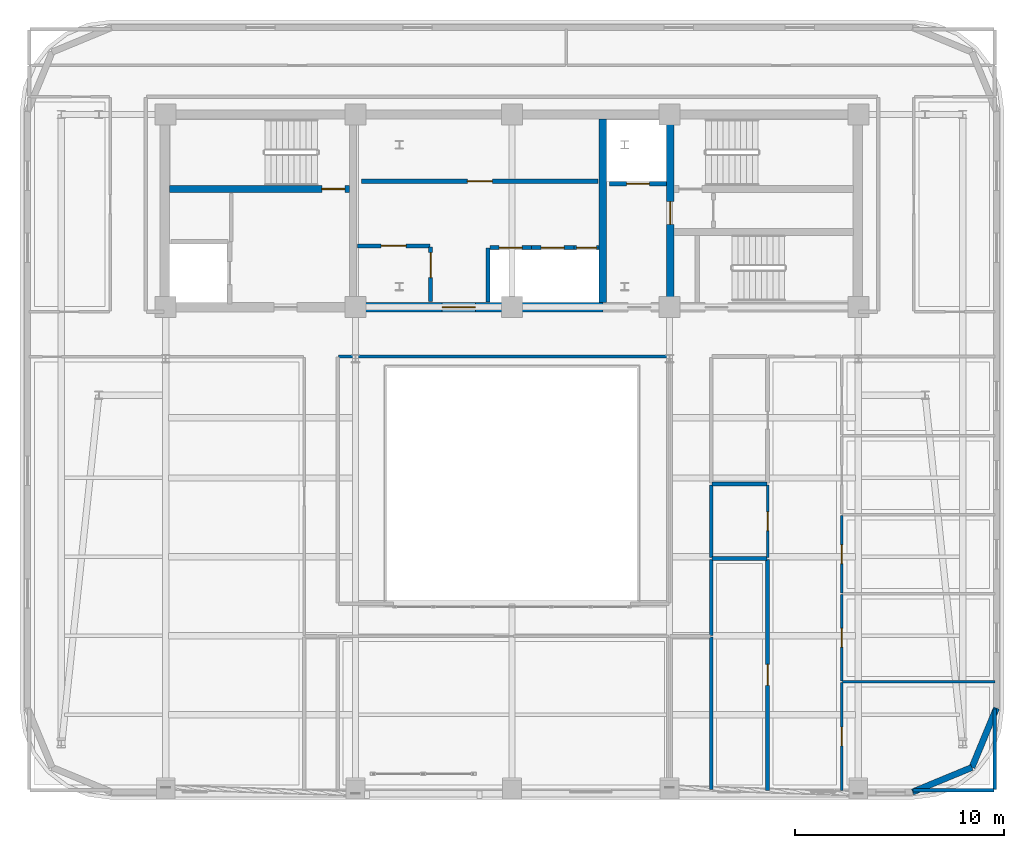
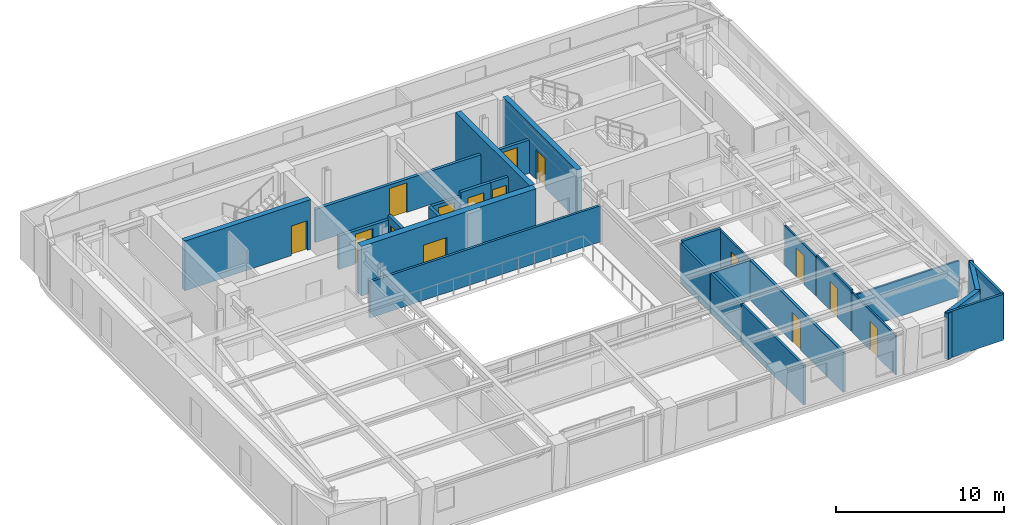
# One storey, part 7 of 13: 28 walls, 15 doors, 15 openings.
"""IFC4 building model written with IfcOpenShell, lengths in metres."""

import ifcopenshell
import ifcopenshell.guid

model = None  # the IFC model being written
_history = None  # IfcOwnerHistory: only IFC2X3 demands one
_inside = {}  # id of a spatial element -> (the spatial element, [elements in it])
_under = {}  # id of a project, library or spatial element -> (it, [spatial elements below it])
_declared = {}  # id of a project -> (the project, [libraries it declares])
_typed = {}  # id of a type object -> (the type object, [elements of that type])
_made_of = {}  # id of a material, layer set ... -> (it, [elements and type objects made of it])


def new_model(schema):
    """Start an empty IFC model of exactly this schema.

    Asked for "IFC4X3", IfcOpenShell would pick the latest addendum, in which some entities
    have other attributes; the version numbers below select the first issue.
    IFC2X3 requires an IfcOwnerHistory on every rooted entity: one is made here for all.
    """
    global model, _history
    if schema == "IFC4X3":
        model = ifcopenshell.file(schema_version=(4, 3, 0, 0))
    else:
        model = ifcopenshell.file(schema=schema)
    _inside.clear()
    _under.clear()
    _declared.clear()
    _typed.clear()
    _made_of.clear()
    _history = None
    if model.schema == "IFC2X3":
        org = make("IfcOrganization", Name="unknown")
        user = make(
            "IfcPersonAndOrganization",
            ThePerson=make("IfcPerson", FamilyName="unknown"),
            TheOrganization=org,
        )
        app = make(
            "IfcApplication",
            ApplicationDeveloper=org,
            Version="unknown",
            ApplicationFullName="unknown",
            ApplicationIdentifier="unknown",
        )
        _history = make(
            "IfcOwnerHistory",
            OwningUser=user,
            OwningApplication=app,
            ChangeAction="ADDED",
            CreationDate=0,
        )
    return model


def make(cls, **values):
    """One entity of the class cls with the attributes given. An attribute that is None is left unset."""
    return model.create_entity(
        cls, **{name: value for name, value in values.items() if value is not None}
    )


def rooted(cls, **values):
    """An entity with a GlobalId (a new one), such as an element, a storey or a relation."""
    return make(cls, GlobalId=ifcopenshell.guid.new(), OwnerHistory=_history, **values)


def si_unit(unit_type, name, prefix=None):
    """IfcSIUnit, for example si_unit("LENGTHUNIT", "METRE", prefix="MILLI")."""
    return make("IfcSIUnit", UnitType=unit_type, Prefix=prefix, Name=name)


def assignment(units):
    """IfcUnitAssignment: the units of a project."""
    return None if units is None else make("IfcUnitAssignment", Units=units)


def point(xyz):
    """IfcCartesianPoint."""
    return None if xyz is None else make("IfcCartesianPoint", Coordinates=xyz)


def direction(xyz):
    """IfcDirection."""
    return None if xyz is None else make("IfcDirection", DirectionRatios=xyz)


def frame(location, z_axis=None, x_axis=None):
    """IfcAxis2Placement3D, a coordinate frame: its origin and axes. An axis left out is left unset."""
    return make(
        "IfcAxis2Placement3D",
        Location=point(location),
        Axis=direction(z_axis),
        RefDirection=direction(x_axis),
    )


def frame_2d(location, x_axis=None):
    """IfcAxis2Placement2D, a coordinate frame in the plane: its origin and x axis."""
    return make(
        "IfcAxis2Placement2D", Location=point(location), RefDirection=direction(x_axis)
    )


def origin():
    """The frame at (0, 0, 0) with its axes left unset."""
    return frame((0.0, 0.0, 0.0))


def place(relative_to, where):
    """IfcLocalPlacement: puts the frame where relative to a parent placement (None: the world)."""
    return make(
        "IfcLocalPlacement", PlacementRelTo=relative_to, RelativePlacement=where
    )


def context(
    kind, dimensions, precision=None, world=None, true_north=None, identifier=None
):
    """IfcGeometricRepresentationContext, for example the 3D "Model" context."""
    return make(
        "IfcGeometricRepresentationContext",
        ContextIdentifier=identifier,
        ContextType=kind,
        CoordinateSpaceDimension=dimensions,
        Precision=precision,
        WorldCoordinateSystem=world,
        TrueNorth=true_north,
    )


def subcontext(parent, identifier, kind, view, scale=None):
    """IfcGeometricRepresentationSubContext, for example "Body" below "Model"."""
    return make(
        "IfcGeometricRepresentationSubContext",
        ContextIdentifier=identifier,
        ContextType=kind,
        ParentContext=parent,
        TargetScale=scale,
        TargetView=view,
    )


def project(units=None, contexts=None):
    """IfcProject with its units and contexts."""
    return rooted(
        "IfcProject",
        Name="project",
        RepresentationContexts=contexts,
        UnitsInContext=assignment(units),
    )


def spatial(cls, under=None, at=None, **own):
    """A site, building, storey or space (cls), placed at a placement, below another one or the project."""
    s = rooted(cls, ObjectPlacement=at, **own)
    if under is not None:
        _under.setdefault(under.id(), (under, []))[1].append(s)
    return s


def profile(cls, at=None, kind="AREA", **sizes):
    """A parametric profile (cls). Its sizes go by their IFC names, for example OverallWidth=200.0."""
    return make(cls, ProfileType=kind, Position=at, **sizes)


def rectangle(**sizes):
    """IfcRectangleProfileDef."""
    return profile("IfcRectangleProfileDef", **sizes)


def extrude(swept, where, along, depth):
    """IfcExtrudedAreaSolid: the profile swept, set in the frame where, extruded along a direction by depth."""
    return make(
        "IfcExtrudedAreaSolid",
        SweptArea=swept,
        Position=where,
        ExtrudedDirection=direction(along),
        Depth=depth,
    )


def shape(context_of_items, identifier, shape_type, items):
    """IfcShapeRepresentation: the items that make up one representation, for example the "Body"."""
    return make(
        "IfcShapeRepresentation",
        ContextOfItems=context_of_items,
        RepresentationIdentifier=identifier,
        RepresentationType=shape_type,
        Items=items,
    )


def material(Name=None, Category=None):
    """IfcMaterial."""
    return make("IfcMaterial", Name=Name, Category=Category)


def layer(
    of_material, thickness, ventilated=None, Name=None, Category=None, Priority=None
):
    """IfcMaterialLayer: one layer of a wall or slab, of a material (None: an air gap)."""
    return make(
        "IfcMaterialLayer",
        Material=of_material,
        LayerThickness=thickness,
        IsVentilated=ventilated,
        Name=Name,
        Category=Category,
        Priority=Priority,
    )


def layer_set(layers, Name=None):
    """IfcMaterialLayerSet."""
    return make("IfcMaterialLayerSet", MaterialLayers=layers, LayerSetName=Name)


def made_of(thing, what):
    """Note that an element or type object is made of a material, layer set ...; save() writes the relation."""
    if what is not None:
        _made_of.setdefault(what.id(), (what, []))[1].append(thing)
    return thing


def type_object(cls, material=None, **own):
    """A type object (cls), such as IfcWallType, which elements share."""
    return made_of(rooted(cls, **own), material)


def element(
    cls,
    number,
    at=None,
    inside=None,
    cuts=None,
    type_object=None,
    material=None,
    context=None,
    identifier="Body",
    shape_type=None,
    held_by="IfcProductDefinitionShape",
    body=None,
    shapes=None,
    **own,
):
    """One element of the class cls, such as IfcWall. Its Tag is "e" and its number.

    at: its placement. inside: the storey or other place that contains it. cuts: it is an
    opening in that element (IfcRelVoidsElement). A single representation is given by context,
    identifier, shape_type and body (its items); several are given by shapes. held_by: the class
    of the entity that holds the representations. save() writes the other relations.
    """
    e = rooted(cls, Tag="e%d" % number, ObjectPlacement=at, **own)
    if body is not None:
        shapes = [shape(context, identifier, shape_type, body)]
    if shapes is not None:
        e.Representation = make(held_by, Representations=shapes)
    if inside is not None:
        _inside.setdefault(inside.id(), (inside, []))[1].append(e)
    if cuts is not None:
        rooted(
            "IfcRelVoidsElement", RelatingBuildingElement=cuts, RelatedOpeningElement=e
        )
    if type_object is not None:
        _typed.setdefault(type_object.id(), (type_object, []))[1].append(e)
    return made_of(e, material)


def fill(opening, filler):
    """IfcRelFillsElement: the door or window that sits in an opening."""
    return rooted(
        "IfcRelFillsElement",
        RelatingOpeningElement=opening,
        RelatedBuildingElement=filler,
    )


def aggregate(whole, parts):
    """IfcRelAggregates: a whole, such as a stair, and the parts it consists of."""
    return rooted("IfcRelAggregates", RelatingObject=whole, RelatedObjects=parts)


def save(model, path):
    """Write the relations noted so far, then the file.

    IfcRelAggregates (storeys below a building ...), IfcRelContainedInSpatialStructure (elements
    in a storey), IfcRelDefinesByType, IfcRelAssociatesMaterial and IfcRelDeclares: one each for
    every whole, place, type object, material and project.
    """
    for whole, parts in _under.values():
        aggregate(whole, parts)
    for where, things in _inside.values():
        rooted(
            "IfcRelContainedInSpatialStructure",
            RelatedElements=things,
            RelatingStructure=where,
        )
    for kind, things in _typed.values():
        rooted("IfcRelDefinesByType", RelatedObjects=things, RelatingType=kind)
    for what, things in _made_of.values():
        rooted("IfcRelAssociatesMaterial", RelatedObjects=things, RelatingMaterial=what)
    for by, libraries in _declared.values():
        rooted("IfcRelDeclares", RelatingContext=by, RelatedDefinitions=libraries)
    model.write(path)


model = new_model("IFC4")

# Units and contexts
model_context = context("Model", 3, precision=1e-05, world=origin(), true_north=direction((0.0, 1.0)))
body_context = subcontext(model_context, "Body", "Model", "MODEL_VIEW")
ifc_project = project(units=[si_unit("LENGTHUNIT", "METRE"), si_unit("AREAUNIT", "SQUARE_METRE"), si_unit("VOLUMEUNIT", "CUBIC_METRE"), si_unit("PLANEANGLEUNIT", "RADIAN"), si_unit("MASSUNIT", "GRAM", prefix="KILO")], contexts=[model_context])

# Site, building, storey
site_placement = place(None, origin())
site = spatial("IfcSite", under=ifc_project, at=site_placement, CompositionType="ELEMENT")
building_placement = place(site_placement, origin())
building = spatial("IfcBuilding", under=site, at=building_placement, Name="Zarnavel Station Tower", CompositionType="ELEMENT")
storey_placement = place(building_placement, frame((0.0, 0.0, 236.39990234375)))
storey = spatial("IfcBuildingStorey", under=building, at=storey_placement, Name="L64", CompositionType="ELEMENT", Elevation=236.39990234375)

# Wall
ifc_material_1 = material(Name="Concrete C50/60", Category="concrete")
ifc_layer_1 = layer(ifc_material_1, 0.35009765625)
ifc_layer_set_1 = layer_set([ifc_layer_1], Name="CW_350")
wall_type_1 = type_object("IfcWallType", Name="CW_350", PredefinedType="SHEAR", material=ifc_layer_set_1)
wall_1_placement = place(storey_placement, frame((33.14990234375, 28.044921875, 0.0), z_axis=(0.0, 0.0, 1.0), x_axis=(0.0, 1.0, 0.0)))
element("IfcWall", 1, at=wall_1_placement, inside=storey, type_object=wall_type_1, Name="L64 Rear Core Shear Wall DIV-E", PredefinedType="SHEAR", context=body_context, shape_type="SweptSolid", body=[
    extrude(rectangle(XDim=8.780029296875, YDim=0.35009765625, at=frame_2d((4.39013671875, 0.0))), origin(), (0.0, 0.0, 1.0), 3.60009765625),
])

# Wall, opening, door
wall_2_placement = place(storey_placement, frame((36.3798828125, 28.044921875, 0.0), z_axis=(0.0, 0.0, 1.0), x_axis=(0.0, 1.0, 0.0)))
wall_2 = element("IfcWall", 2, at=wall_2_placement, inside=storey, type_object=wall_type_1, Name="L64 Rear Core Shear Wall DIV-S2", PredefinedType="SHEAR", context=body_context, shape_type="SweptSolid", body=[
    extrude(rectangle(XDim=8.780029296875, YDim=0.35009765625, at=frame_2d((4.39013671875, 0.0))), origin(), (0.0, 0.0, 1.0), 3.60009765625),
])
opening_1_placement = place(wall_2_placement, frame((3.735107421875, 0.0, 0.0)))
opening_1 = element("IfcOpeningElement", 3, at=opening_1_placement, cuts=wall_2, Name="Opening FD01", PredefinedType="OPENING", context=body_context, shape_type="SweptSolid", body=[
    extrude(rectangle(XDim=1.10009765625, YDim=2.14990234375, at=frame_2d((0.550048828125, 1.074951171875))), frame((0.0, 0.18505859375, 0.0), z_axis=(0.0, -1.0, 0.0), x_axis=(1.0, 0.0, 0.0)), (0.0, 0.0, 1.0), 0.3701171875),
])
ifc_material_2 = material(Name="Painted Galvanised Steel and Hardwood Leaf", Category="steel")
door_type_1 = type_object("IfcDoorType", Name="ID_STAIR_1100", OperationType="NOTDEFINED", PredefinedType="DOOR", material=ifc_material_2)
door_1_placement = place(opening_1_placement, origin())
door_1 = element("IfcDoor", 4, at=door_1_placement, inside=storey, type_object=door_type_1, Name="L64 East Stair Vestibule Fire Door", OperationType="SINGLE_SWING_LEFT", OverallHeight=2.14990234375, OverallWidth=1.10009765625, PredefinedType="DOOR", context=body_context, shape_type="SweptSolid", body=[
    extrude(rectangle(XDim=1.10009765625, YDim=2.14990234375, at=frame_2d((0.550048828125, 1.074951171875))), frame((0.0, 0.02490234375, 0.0), z_axis=(0.0, -1.0, 0.0), x_axis=(1.0, 0.0, 0.0)), (0.0, 0.0, 1.0), 0.050048828125),
])
fill(opening_1, door_1)

wall_3_placement = place(storey_placement, frame((21.0048828125, 33.47998046875, 0.0), z_axis=(0.0, 0.0, 1.0), x_axis=(-1.0, 0.0, 0.0)))
wall_3 = element("IfcWall", 5, at=wall_3_placement, inside=storey, type_object=wall_type_1, Name="L64 Rear Core Shear Wall DIV-H1", PredefinedType="SHEAR", context=body_context, shape_type="SweptSolid", body=[
    extrude(rectangle(XDim=8.6298828125, YDim=0.35009765625, at=frame_2d((4.31494140625, 0.0))), origin(), (0.0, 0.0, 1.0), 3.60009765625),
])
opening_2_placement = place(wall_3_placement, frame((0.219970703125, 0.0, 0.0)))
opening_2 = element("IfcOpeningElement", 6, at=opening_2_placement, cuts=wall_3, Name="Opening FD01", PredefinedType="OPENING", context=body_context, shape_type="SweptSolid", body=[
    extrude(rectangle(XDim=1.10009765625, YDim=2.14990234375, at=frame_2d((0.550048828125, 1.074951171875))), frame((0.0, 0.18505859375, 0.0), z_axis=(0.0, -1.0, 0.0), x_axis=(1.0, 0.0, 0.0)), (0.0, 0.0, 1.0), 0.3701171875),
])
door_2_placement = place(opening_2_placement, origin())
door_2 = element("IfcDoor", 7, at=door_2_placement, inside=storey, type_object=door_type_1, Name="L64 Stair ST1 Lobby Fire Door", OperationType="SINGLE_SWING_LEFT", OverallHeight=2.14990234375, OverallWidth=1.10009765625, PredefinedType="DOOR", context=body_context, shape_type="SweptSolid", body=[
    extrude(rectangle(XDim=1.10009765625, YDim=2.14990234375, at=frame_2d((0.550048828125, 1.074951171875))), frame((0.0, 0.02490234375, 0.0), z_axis=(0.0, -1.0, 0.0), x_axis=(1.0, 0.0, 0.0)), (0.0, 0.0, 1.0), 0.050048828125),
])
fill(opening_2, door_2)

ifc_material_3 = material(Name="Concrete C50/60", Category="concrete")
ifc_layer_2 = layer(ifc_material_3, 0.449951171875)
ifc_layer_set_2 = layer_set([ifc_layer_2], Name="CW_450")
wall_type_2 = type_object("IfcWallType", Name="CW_450", PredefinedType="SHEAR", material=ifc_layer_set_2)
wall_4_placement = place(storey_placement, frame((33.14990234375, 27.820068359375, 0.0), z_axis=(0.0, 0.0, 1.0), x_axis=(-1.0, 0.0, 0.0)))
wall_4 = element("IfcWall", 8, at=wall_4_placement, inside=storey, type_object=wall_type_2, Name="L64 Rear Core Shear Wall S-M", PredefinedType="SHEAR", context=body_context, shape_type="SweptSolid", body=[
    extrude(rectangle(XDim=11.969970703125, YDim=0.449951171875, at=frame_2d((5.98486328125, 0.0))), origin(), (0.0, 0.0, 1.0), 3.60009765625),
])
opening_3_placement = place(wall_4_placement, frame((6.10009765625, 0.0, 0.0)))
opening_3 = element("IfcOpeningElement", 9, at=opening_3_placement, cuts=wall_4, Name="Opening ID03", PredefinedType="OPENING", context=body_context, shape_type="SweptSolid", body=[
    extrude(rectangle(XDim=1.60009765625, YDim=2.199951171875, at=frame_2d((0.800048828125, 1.10009765625))), frame((0.0, 0.23486328125, 0.0), z_axis=(0.0, -1.0, 0.0), x_axis=(1.0, 0.0, 0.0)), (0.0, 0.0, 1.0), 0.469970703125),
])
ifc_material_4 = material(Name="Painted Galvanised Steel and Hardwood Leaf", Category="steel")
door_type_2 = type_object("IfcDoorType", Name="ID_PUBLIC_1600", OperationType="DOUBLE_DOOR_SINGLE_SWING", PredefinedType="DOOR", material=ifc_material_4)
door_3_placement = place(opening_3_placement, origin())
door_3 = element("IfcDoor", 10, at=door_3_placement, inside=storey, type_object=door_type_2, Name="L64 Passenger Lift Lobby Double Door", OperationType="SINGLE_SWING_LEFT", OverallHeight=2.199951171875, OverallWidth=1.60009765625, PredefinedType="DOOR", context=body_context, shape_type="SweptSolid", body=[
    extrude(rectangle(XDim=1.60009765625, YDim=2.199951171875, at=frame_2d((0.800048828125, 1.10009765625))), frame((0.0, 0.02490234375, 0.0), z_axis=(0.0, -1.0, 0.0), x_axis=(1.0, 0.0, 0.0)), (0.0, 0.0, 1.0), 0.050048828125),
])
fill(opening_3, door_3)

# Walls
ifc_material_5 = material(Name="Precast concrete C45/55 (Dark Basalt Finish)", Category="masonry")
ifc_layer_3 = layer(ifc_material_5, 0.300048828125)
ifc_layer_set_3 = layer_set([ifc_layer_3], Name="EW_BASALT_300")
wall_type_3 = type_object("IfcWallType", Name="EW_BASALT_300", PredefinedType="SOLIDWALL", material=ifc_layer_set_3)
wall_5_placement = place(storey_placement, frame((50.842529296875, 5.75732421875, 0.0), z_axis=(0.0, 0.0, 1.0), x_axis=(-0.92389884758, -0.382636798336, 0.0)))
element("IfcWall", 11, at=wall_5_placement, inside=storey, type_object=wall_type_3, Name="L64 Exterior Basalt Masonry Frame Wall 01", PredefinedType="SOLIDWALL", context=body_context, shape_type="SweptSolid", body=[
    extrude(rectangle(XDim=3.07666015625, YDim=0.300048828125, at=frame_2d((1.538330078125, 0.0))), origin(), (0.0, 0.0, 1.0), 3.340087890625),
])
wall_6_placement = place(storey_placement, frame((52.02001953125, 8.60009765625, 0.0), z_axis=(0.0, 0.0, 1.0), x_axis=(-0.382676475685, -0.923882414032, 0.0)))
element("IfcWall", 12, at=wall_6_placement, inside=storey, type_object=wall_type_3, Name="L64 Exterior Basalt Masonry Frame Wall 02", PredefinedType="SOLIDWALL", context=body_context, shape_type="SweptSolid", body=[
    extrude(rectangle(XDim=3.076904296875, YDim=0.300048828125, at=frame_2d((1.53857421875, 0.0))), origin(), (0.0, 0.0, 1.0), 3.340087890625),
])
ifc_material_6 = material(Name="Gypsum Twin-Stud Acoustic Fire Partition", Category="concrete")
ifc_layer_4 = layer(ifc_material_6, 0.159912109375)
ifc_layer_set_4 = layer_set([ifc_layer_4], Name="PT_DEMISE_160")
wall_type_4 = type_object("IfcWallType", Name="PT_DEMISE_160", PredefinedType="PARTITIONING", material=ifc_layer_set_4)
wall_7_placement = place(storey_placement, frame((38.35009765625, 15.81103515625, 0.0), z_axis=(0.0, 0.0, 1.0), x_axis=(0.0, 1.0, 0.0)))
element("IfcWall", 13, at=wall_7_placement, inside=storey, type_object=wall_type_4, Name="L64 Partition COR-AE-UE1UT", PredefinedType="PARTITIONING", context=body_context, shape_type="SweptSolid", body=[
    extrude(rectangle(XDim=3.488037109375, YDim=0.159912109375, at=frame_2d((1.744140625, 0.0))), origin(), (0.0, 0.0, 1.0), 2.880126953125),
])
wall_8_placement = place(storey_placement, frame((20.47998046875, 25.449951171875, 0.0), z_axis=(0.0, 0.0, 1.0), x_axis=(1.0, 0.0, 0.0)))
element("IfcWall", 14, at=wall_8_placement, inside=storey, type_object=wall_type_4, Name="L64 Enclosure Wall COR-S", PredefinedType="PARTITIONING", context=body_context, shape_type="SweptSolid", body=[
    extrude(rectangle(XDim=15.840087890625, YDim=0.159912109375, at=frame_2d((7.919921875, 0.0))), origin(), (0.0, 0.0, 1.0), 2.6201171875),
])
wall_9_placement = place(storey_placement, frame((38.35009765625, 4.68994140625, 0.0), z_axis=(0.0, 0.0, 1.0), x_axis=(0.0, 1.0, 0.0)))
element("IfcWall", 15, at=wall_9_placement, inside=storey, type_object=wall_type_4, Name="L64 Enclosure Wall UE1KT", PredefinedType="PARTITIONING", context=body_context, shape_type="SweptSolid", body=[
    extrude(rectangle(XDim=7.330078125, YDim=0.159912109375, at=frame_2d((3.6650390625, 0.0))), origin(), (0.0, 0.0, 1.0), 2.880126953125),
])
wall_10_placement = place(storey_placement, frame((48.030029296875, 4.659912109375, 0.0), z_axis=(0.0, 0.0, 1.0), x_axis=(1.0, 0.0, 0.0)))
element("IfcWall", 16, at=wall_10_placement, inside=storey, type_object=wall_type_4, Name="L64 Enclosure Wall UE1B1", PredefinedType="PARTITIONING", context=body_context, shape_type="SweptSolid", body=[
    extrude(rectangle(XDim=3.8798828125, YDim=0.159912109375, at=frame_2d((1.93994140625, 0.0))), origin(), (0.0, 0.0, 1.0), 3.340087890625),
])
wall_11_placement = place(storey_placement, frame((51.93994140625, 4.68994140625, 0.0), z_axis=(0.0, 0.0, 1.0), x_axis=(0.0, 1.0, 0.0)))
element("IfcWall", 17, at=wall_11_placement, inside=storey, type_object=wall_type_4, Name="L64 Enclosure Wall UE1B1", PredefinedType="PARTITIONING", context=body_context, shape_type="SweptSolid", body=[
    extrude(rectangle(XDim=3.880126953125, YDim=0.159912109375, at=frame_2d((1.93994140625, 0.0))), origin(), (0.0, 0.0, 1.0), 3.340087890625),
])

# Wall, opening, door
ifc_material_7 = material(Name="Gypsum Metal-Stud Interior Partition", Category="concrete")
ifc_layer_5 = layer(ifc_material_7, 0.1201171875)
ifc_layer_set_5 = layer_set([ifc_layer_5], Name="PT_ROOM_120")
wall_type_5 = type_object("IfcWallType", Name="PT_ROOM_120", PredefinedType="PARTITIONING", material=ifc_layer_set_5)
wall_12_placement = place(storey_placement, frame((41.050048828125, 15.81103515625, 0.0), z_axis=(0.0, 0.0, 1.0), x_axis=(0.0, 1.0, 0.0)))
wall_12 = element("IfcWall", 18, at=wall_12_placement, inside=storey, type_object=wall_type_5, Name="L64 Partition UE1LV-UE1UT", PredefinedType="PARTITIONING", context=body_context, shape_type="SweptSolid", body=[
    extrude(rectangle(XDim=3.488037109375, YDim=0.1201171875, at=frame_2d((1.744140625, 0.0))), origin(), (0.0, 0.0, 1.0), 2.880126953125),
])
opening_4_placement = place(wall_12_placement, frame((1.2939453125, 0.0, 0.0)))
opening_4 = element("IfcOpeningElement", 19, at=opening_4_placement, cuts=wall_12, Name="Opening ID01", PredefinedType="OPENING", context=body_context, shape_type="SweptSolid", body=[
    extrude(rectangle(XDim=0.89990234375, YDim=2.10009765625, at=frame_2d((0.449951171875, 1.050048828125))), frame((0.0, 0.070068359375, 0.0), z_axis=(0.0, -1.0, 0.0), x_axis=(1.0, 0.0, 0.0)), (0.0, 0.0, 1.0), 0.14013671875),
])
ifc_material_8 = material(Name="Painted Galvanised Steel and Hardwood Leaf", Category="steel")
door_type_3 = type_object("IfcDoorType", Name="ID_ROOM_900", OperationType="NOTDEFINED", PredefinedType="DOOR", material=ifc_material_8)
door_4_placement = place(opening_4_placement, origin())
door_4 = element("IfcDoor", 20, at=door_4_placement, inside=storey, type_object=door_type_3, Name="L64 Door UE1LV-UE1UT", OperationType="SINGLE_SWING_LEFT", OverallHeight=2.10009765625, OverallWidth=0.89990234375, PredefinedType="DOOR", context=body_context, shape_type="SweptSolid", body=[
    extrude(rectangle(XDim=0.89990234375, YDim=2.10009765625, at=frame_2d((0.449951171875, 1.050048828125))), frame((0.0, 0.02490234375, 0.0), z_axis=(0.0, -1.0, 0.0), x_axis=(1.0, 0.0, 0.0)), (0.0, 0.0, 1.0), 0.050048828125),
])
fill(opening_4, door_4)

wall_13_placement = place(storey_placement, frame((44.60888671875, 4.659912109375, 0.0), z_axis=(0.0, 0.0, 1.0), x_axis=(0.0, 1.0, 0.0)))
wall_13 = element("IfcWall", 21, at=wall_13_placement, inside=storey, type_object=wall_type_5, Name="L64 Partition UE1LV-UE1B1", PredefinedType="PARTITIONING", context=body_context, shape_type="SweptSolid", body=[
    extrude(rectangle(XDim=5.156982421875, YDim=0.1201171875, at=frame_2d((2.57861328125, 0.0))), origin(), (0.0, 0.0, 1.0), 2.880126953125),
])
opening_5_placement = place(wall_13_placement, frame((2.12841796875, 0.0, 0.0)))
opening_5 = element("IfcOpeningElement", 22, at=opening_5_placement, cuts=wall_13, Name="Opening ID01", PredefinedType="OPENING", context=body_context, shape_type="SweptSolid", body=[
    extrude(rectangle(XDim=0.89990234375, YDim=2.10009765625, at=frame_2d((0.449951171875, 1.050048828125))), frame((0.0, 0.070068359375, 0.0), z_axis=(0.0, -1.0, 0.0), x_axis=(1.0, 0.0, 0.0)), (0.0, 0.0, 1.0), 0.14013671875),
])
door_5_placement = place(opening_5_placement, origin())
door_5 = element("IfcDoor", 23, at=door_5_placement, inside=storey, type_object=door_type_3, Name="L64 Door UE1LV-UE1B1", OperationType="SINGLE_SWING_LEFT", OverallHeight=2.10009765625, OverallWidth=0.89990234375, PredefinedType="DOOR", context=body_context, shape_type="SweptSolid", body=[
    extrude(rectangle(XDim=0.89990234375, YDim=2.10009765625, at=frame_2d((0.449951171875, 1.050048828125))), frame((0.0, 0.02490234375, 0.0), z_axis=(0.0, -1.0, 0.0), x_axis=(1.0, 0.0, 0.0)), (0.0, 0.0, 1.0), 0.050048828125),
])
fill(opening_5, door_5)

wall_14_placement = place(storey_placement, frame((44.60888671875, 9.89697265625, 0.0), z_axis=(0.0, 0.0, 1.0), x_axis=(0.0, 1.0, 0.0)))
wall_14 = element("IfcWall", 24, at=wall_14_placement, inside=storey, type_object=wall_type_5, Name="L64 Partition UE1LV-UE1B2", PredefinedType="PARTITIONING", context=body_context, shape_type="SweptSolid", body=[
    extrude(rectangle(XDim=4.14794921875, YDim=0.1201171875, at=frame_2d((2.073974609375, 0.0))), origin(), (0.0, 0.0, 1.0), 3.010009765625),
])
opening_6_placement = place(wall_14_placement, frame((1.6240234375, 0.0, 0.0)))
opening_6 = element("IfcOpeningElement", 25, at=opening_6_placement, cuts=wall_14, Name="Opening ID01", PredefinedType="OPENING", context=body_context, shape_type="SweptSolid", body=[
    extrude(rectangle(XDim=0.89990234375, YDim=2.10009765625, at=frame_2d((0.449951171875, 1.050048828125))), frame((0.0, 0.070068359375, 0.0), z_axis=(0.0, -1.0, 0.0), x_axis=(1.0, 0.0, 0.0)), (0.0, 0.0, 1.0), 0.14013671875),
])
door_6_placement = place(opening_6_placement, origin())
door_6 = element("IfcDoor", 26, at=door_6_placement, inside=storey, type_object=door_type_3, Name="L64 Door UE1LV-UE1B2", OperationType="SINGLE_SWING_RIGHT", OverallHeight=2.10009765625, OverallWidth=0.89990234375, PredefinedType="DOOR", context=body_context, shape_type="SweptSolid", body=[
    extrude(rectangle(XDim=0.89990234375, YDim=2.10009765625, at=frame_2d((0.449951171875, 1.050048828125))), frame((0.0, 0.02490234375, 0.0), z_axis=(0.0, -1.0, 0.0), x_axis=(1.0, 0.0, 0.0)), (0.0, 0.0, 1.0), 0.050048828125),
])
fill(opening_6, door_6)

wall_15_placement = place(storey_placement, frame((44.60888671875, 14.125, 0.0), z_axis=(0.0, 0.0, 1.0), x_axis=(0.0, 1.0, 0.0)))
wall_15 = element("IfcWall", 27, at=wall_15_placement, inside=storey, type_object=wall_type_5, Name="L64 Partition UE1LV-UE1B3", PredefinedType="PARTITIONING", context=body_context, shape_type="SweptSolid", body=[
    extrude(rectangle(XDim=3.7080078125, YDim=0.1201171875, at=frame_2d((1.85400390625, 0.0))), origin(), (0.0, 0.0, 1.0), 2.880126953125),
])
opening_7_placement = place(wall_15_placement, frame((1.404052734375, 0.0, 0.0)))
opening_7 = element("IfcOpeningElement", 28, at=opening_7_placement, cuts=wall_15, Name="Opening ID01", PredefinedType="OPENING", context=body_context, shape_type="SweptSolid", body=[
    extrude(rectangle(XDim=0.89990234375, YDim=2.10009765625, at=frame_2d((0.449951171875, 1.050048828125))), frame((0.0, 0.070068359375, 0.0), z_axis=(0.0, -1.0, 0.0), x_axis=(1.0, 0.0, 0.0)), (0.0, 0.0, 1.0), 0.14013671875),
])
door_7_placement = place(opening_7_placement, origin())
door_7 = element("IfcDoor", 29, at=door_7_placement, inside=storey, type_object=door_type_3, Name="L64 Door UE1LV-UE1B3", OperationType="SINGLE_SWING_LEFT", OverallHeight=2.10009765625, OverallWidth=0.89990234375, PredefinedType="DOOR", context=body_context, shape_type="SweptSolid", body=[
    extrude(rectangle(XDim=0.89990234375, YDim=2.10009765625, at=frame_2d((0.449951171875, 1.050048828125))), frame((0.0, 0.02490234375, 0.0), z_axis=(0.0, -1.0, 0.0), x_axis=(1.0, 0.0, 0.0)), (0.0, 0.0, 1.0), 0.050048828125),
])
fill(opening_7, door_7)

# Wall
wall_16_placement = place(storey_placement, frame((44.64892578125, 9.85693359375, 0.0), z_axis=(0.0, 0.0, 1.0), x_axis=(1.0, 0.0, 0.0)))
element("IfcWall", 30, at=wall_16_placement, inside=storey, type_object=wall_type_5, Name="L64 Partition UE1B1-UE1B2", PredefinedType="PARTITIONING", context=body_context, shape_type="SweptSolid", body=[
    extrude(rectangle(XDim=7.291015625, YDim=0.1201171875, at=frame_2d((3.6455078125, 0.0))), origin(), (0.0, 0.0, 1.0), 2.6201171875),
])

# Wall, opening, door
ifc_material_9 = material(Name="Precast concrete C45/55 (Fire Shaft Blockwork)", Category="masonry")
ifc_layer_6 = layer(ifc_material_9, 0.199951171875)
ifc_layer_set_6 = layer_set([ifc_layer_6], Name="PT_SHAFT_200")
wall_type_6 = type_object("IfcWallType", Name="PT_SHAFT_200", PredefinedType="PARTITIONING", material=ifc_layer_set_6)
wall_17_placement = place(storey_placement, frame((33.47509765625, 33.72998046875, 0.0), z_axis=(0.0, 0.0, 1.0), x_axis=(1.0, 0.0, 0.0)))
wall_17 = element("IfcWall", 31, at=wall_17_placement, inside=storey, type_object=wall_type_6, Name="L64 Lift FFL-02 Shaft Front Wall", PredefinedType="PARTITIONING", context=body_context, shape_type="SweptSolid", body=[
    extrude(rectangle(XDim=2.724853515625, YDim=0.199951171875, at=frame_2d((1.3623046875, 0.0))), origin(), (0.0, 0.0, 1.0), 2.41015625),
])
opening_8_placement = place(wall_17_placement, frame((0.8125, 0.0, 0.0)))
opening_8 = element("IfcOpeningElement", 32, at=opening_8_placement, cuts=wall_17, Name="Opening LD01", PredefinedType="OPENING", context=body_context, shape_type="SweptSolid", body=[
    extrude(rectangle(XDim=1.10009765625, YDim=2.14990234375, at=frame_2d((0.550048828125, 1.074951171875))), frame((0.0, 0.10986328125, 0.0), z_axis=(0.0, -1.0, 0.0), x_axis=(1.0, 0.0, 0.0)), (0.0, 0.0, 1.0), 0.219970703125),
])
ifc_material_10 = material(Name="Painted Galvanised Steel and Hardwood Leaf", Category="steel")
door_type_4 = type_object("IfcDoorType", Name="LD_FF_1100", OperationType="DOUBLE_DOOR_SLIDING", PredefinedType="DOOR", material=ifc_material_10)
door_8_placement = place(opening_8_placement, origin())
door_8 = element("IfcDoor", 33, at=door_8_placement, inside=storey, type_object=door_type_4, Name="L64 Lift FFL-02 Sliding Landing Door", OperationType="DOUBLE_DOOR_SLIDING", OverallHeight=2.14990234375, OverallWidth=1.10009765625, PredefinedType="DOOR", context=body_context, shape_type="SweptSolid", body=[
    extrude(rectangle(XDim=1.10009765625, YDim=2.14990234375, at=frame_2d((0.550048828125, 1.074951171875))), frame((0.0, 0.02490234375, 0.0), z_axis=(0.0, -1.0, 0.0), x_axis=(1.0, 0.0, 0.0)), (0.0, 0.0, 1.0), 0.050048828125),
])
fill(opening_8, door_8)

wall_18_placement = place(storey_placement, frame((27.75, 30.669921875, 0.0), z_axis=(0.0, 0.0, 1.0), x_axis=(1.0, 0.0, 0.0)))
wall_18 = element("IfcWall", 34, at=wall_18_placement, inside=storey, type_object=wall_type_6, Name="L64 Lift PL-H1 Shaft Front Wall", PredefinedType="PARTITIONING", context=body_context, shape_type="SweptSolid", body=[
    extrude(rectangle(XDim=1.97509765625, YDim=0.199951171875, at=frame_2d((0.987548828125, 0.0))), origin(), (0.0, 0.0, 1.0), 2.41015625),
])
opening_9_placement = place(wall_18_placement, frame((0.4375, 0.0, 0.0)))
opening_9 = element("IfcOpeningElement", 35, at=opening_9_placement, cuts=wall_18, Name="Opening LD02", PredefinedType="OPENING", context=body_context, shape_type="SweptSolid", body=[
    extrude(rectangle(XDim=1.10009765625, YDim=2.14990234375, at=frame_2d((0.550048828125, 1.074951171875))), frame((0.0, 0.10986328125, 0.0), z_axis=(0.0, -1.0, 0.0), x_axis=(1.0, 0.0, 0.0)), (0.0, 0.0, 1.0), 0.219970703125),
])
ifc_material_11 = material(Name="Painted Galvanised Steel and Hardwood Leaf", Category="steel")
door_type_5 = type_object("IfcDoorType", Name="LD_PAX_1100", OperationType="DOUBLE_DOOR_SLIDING", PredefinedType="DOOR", material=ifc_material_11)
door_9_placement = place(opening_9_placement, origin())
door_9 = element("IfcDoor", 36, at=door_9_placement, inside=storey, type_object=door_type_5, Name="L64 Lift PL-H1 Sliding Landing Door", OperationType="DOUBLE_DOOR_SLIDING", OverallHeight=2.14990234375, OverallWidth=1.10009765625, PredefinedType="DOOR", context=body_context, shape_type="SweptSolid", body=[
    extrude(rectangle(XDim=1.10009765625, YDim=2.14990234375, at=frame_2d((0.550048828125, 1.074951171875))), frame((0.0, 0.02490234375, 0.0), z_axis=(0.0, -1.0, 0.0), x_axis=(1.0, 0.0, 0.0)), (0.0, 0.0, 1.0), 0.050048828125),
])
fill(opening_9, door_9)

# Wall
wall_19_placement = place(storey_placement, frame((27.64990234375, 28.070068359375, 0.0), z_axis=(0.0, 0.0, 1.0), x_axis=(0.0, 1.0, 0.0)))
element("IfcWall", 37, at=wall_19_placement, inside=storey, type_object=wall_type_6, Name="L64 High-Rise Lift Bank West Shaft Wall", PredefinedType="PARTITIONING", context=body_context, shape_type="SweptSolid", body=[
    extrude(rectangle(XDim=2.579833984375, YDim=0.199951171875, at=frame_2d((1.2900390625, 0.0))), origin(), (0.0, 0.0, 1.0), 2.41015625),
])

# Wall, opening, door
wall_20_placement = place(storey_placement, frame((29.72509765625, 30.669921875, 0.0), z_axis=(0.0, 0.0, 1.0), x_axis=(1.0, 0.0, 0.0)))
wall_20 = element("IfcWall", 38, at=wall_20_placement, inside=storey, type_object=wall_type_6, Name="L64 Lift PL-H2 Shaft Front Wall", PredefinedType="PARTITIONING", context=body_context, shape_type="SweptSolid", body=[
    extrude(rectangle(XDim=2.0498046875, YDim=0.199951171875, at=frame_2d((1.02490234375, 0.0))), origin(), (0.0, 0.0, 1.0), 2.72021484375),
])
opening_10_placement = place(wall_20_placement, frame((0.47509765625, 0.0, 0.0)))
opening_10 = element("IfcOpeningElement", 39, at=opening_10_placement, cuts=wall_20, Name="Opening LD02", PredefinedType="OPENING", context=body_context, shape_type="SweptSolid", body=[
    extrude(rectangle(XDim=1.10009765625, YDim=2.14990234375, at=frame_2d((0.550048828125, 1.074951171875))), frame((0.0, 0.10986328125, 0.0), z_axis=(0.0, -1.0, 0.0), x_axis=(1.0, 0.0, 0.0)), (0.0, 0.0, 1.0), 0.219970703125),
])
door_10_placement = place(opening_10_placement, origin())
door_10 = element("IfcDoor", 40, at=door_10_placement, inside=storey, type_object=door_type_5, Name="L64 Lift PL-H2 Sliding Landing Door", OperationType="DOUBLE_DOOR_SLIDING", OverallHeight=2.14990234375, OverallWidth=1.10009765625, PredefinedType="DOOR", context=body_context, shape_type="SweptSolid", body=[
    extrude(rectangle(XDim=1.10009765625, YDim=2.14990234375, at=frame_2d((0.550048828125, 1.074951171875))), frame((0.0, 0.02490234375, 0.0), z_axis=(0.0, -1.0, 0.0), x_axis=(1.0, 0.0, 0.0)), (0.0, 0.0, 1.0), 0.050048828125),
])
fill(opening_10, door_10)

wall_21_placement = place(storey_placement, frame((31.77490234375, 30.669921875, 0.0), z_axis=(0.0, 0.0, 1.0), x_axis=(1.0, 0.0, 0.0)))
wall_21 = element("IfcWall", 41, at=wall_21_placement, inside=storey, type_object=wall_type_6, Name="L64 Lift PL-H3 Shaft Front Wall", PredefinedType="PARTITIONING", context=body_context, shape_type="SweptSolid", body=[
    extrude(rectangle(XDim=1.2001953125, YDim=0.199951171875, at=frame_2d((0.60009765625, 0.0))), origin(), (0.0, 0.0, 1.0), 2.72021484375),
])
opening_11_placement = place(wall_21_placement, frame((0.125, 0.0, 0.0)))
opening_11 = element("IfcOpeningElement", 42, at=opening_11_placement, cuts=wall_21, Name="Opening LD03", PredefinedType="OPENING", context=body_context, shape_type="SweptSolid", body=[
    extrude(rectangle(XDim=0.949951171875, YDim=2.14990234375, at=frame_2d((0.47509765625, 1.074951171875))), frame((0.0, 0.10986328125, 0.0), z_axis=(0.0, -1.0, 0.0), x_axis=(1.0, 0.0, 0.0)), (0.0, 0.0, 1.0), 0.219970703125),
])
ifc_material_12 = material(Name="Painted Galvanised Steel and Hardwood Leaf", Category="steel")
door_type_6 = type_object("IfcDoorType", Name="LD_PAX_0950", OperationType="DOUBLE_DOOR_SLIDING", PredefinedType="DOOR", material=ifc_material_12)
door_11_placement = place(opening_11_placement, origin())
door_11 = element("IfcDoor", 43, at=door_11_placement, inside=storey, type_object=door_type_6, Name="L64 Lift PL-H3 Sliding Landing Door", OperationType="DOUBLE_DOOR_SLIDING", OverallHeight=2.14990234375, OverallWidth=0.949951171875, PredefinedType="DOOR", context=body_context, shape_type="SweptSolid", body=[
    extrude(rectangle(XDim=0.949951171875, YDim=2.14990234375, at=frame_2d((0.47509765625, 1.074951171875))), frame((0.0, 0.02490234375, 0.0), z_axis=(0.0, -1.0, 0.0), x_axis=(1.0, 0.0, 0.0)), (0.0, 0.0, 1.0), 0.050048828125),
])
fill(opening_11, door_11)

wall_22_placement = place(storey_placement, frame((21.39990234375, 30.75, 0.0), z_axis=(0.0, 0.0, 1.0), x_axis=(1.0, 0.0, 0.0)))
wall_22 = element("IfcWall", 44, at=wall_22_placement, inside=storey, type_object=wall_type_6, Name="L64 Partition LLOB-CS1", PredefinedType="PARTITIONING", context=body_context, shape_type="SweptSolid", body=[
    extrude(rectangle(XDim=3.460205078125, YDim=0.199951171875, at=frame_2d((1.72998046875, 0.0))), origin(), (0.0, 0.0, 1.0), 2.41015625),
])
opening_12_placement = place(wall_22_placement, frame((1.1298828125, 0.0, 0.0)))
opening_12 = element("IfcOpeningElement", 45, at=opening_12_placement, cuts=wall_22, Name="Opening FD03", PredefinedType="OPENING", context=body_context, shape_type="SweptSolid", body=[
    extrude(rectangle(XDim=1.199951171875, YDim=2.14990234375, at=frame_2d((0.60009765625, 1.074951171875))), frame((0.0, 0.10986328125, 0.0), z_axis=(0.0, -1.0, 0.0), x_axis=(1.0, 0.0, 0.0)), (0.0, 0.0, 1.0), 0.219970703125),
])
ifc_material_13 = material(Name="Painted Galvanised Steel and Hardwood Leaf", Category="steel")
door_type_7 = type_object("IfcDoorType", Name="ID_PLANT_1200", OperationType="NOTDEFINED", PredefinedType="DOOR", material=ifc_material_13)
door_12_placement = place(opening_12_placement, origin())
door_12 = element("IfcDoor", 46, at=door_12_placement, inside=storey, type_object=door_type_7, Name="L64 Door LLOB-CS1", OperationType="SINGLE_SWING_LEFT", OverallHeight=2.14990234375, OverallWidth=1.199951171875, PredefinedType="DOOR", context=body_context, shape_type="SweptSolid", body=[
    extrude(rectangle(XDim=1.199951171875, YDim=2.14990234375, at=frame_2d((0.60009765625, 1.074951171875))), frame((0.0, 0.02490234375, 0.0), z_axis=(0.0, -1.0, 0.0), x_axis=(1.0, 0.0, 0.0)), (0.0, 0.0, 1.0), 0.050048828125),
])
fill(opening_12, door_12)

wall_23_placement = place(storey_placement, frame((21.590087890625, 33.85009765625, 0.0), z_axis=(0.0, 0.0, 1.0), x_axis=(1.0, 0.0, 0.0)))
wall_23 = element("IfcWall", 47, at=wall_23_placement, inside=storey, type_object=wall_type_6, Name="L64 Partition LLOB-FB2A", PredefinedType="PARTITIONING", context=body_context, shape_type="SweptSolid", body=[
    extrude(rectangle(XDim=11.33984375, YDim=0.199951171875, at=frame_2d((5.669921875, 0.0))), origin(), (0.0, 0.0, 1.0), 2.41015625),
])
opening_13_placement = place(wall_23_placement, frame((5.070068359375, 0.0, 0.0)))
opening_13 = element("IfcOpeningElement", 48, at=opening_13_placement, cuts=wall_23, Name="Opening FD03", PredefinedType="OPENING", context=body_context, shape_type="SweptSolid", body=[
    extrude(rectangle(XDim=1.199951171875, YDim=2.14990234375, at=frame_2d((0.60009765625, 1.074951171875))), frame((0.0, 0.10986328125, 0.0), z_axis=(0.0, -1.0, 0.0), x_axis=(1.0, 0.0, 0.0)), (0.0, 0.0, 1.0), 0.219970703125),
])
door_13_placement = place(opening_13_placement, origin())
door_13 = element("IfcDoor", 49, at=door_13_placement, inside=storey, type_object=door_type_7, Name="L64 Door LLOB-FB2A", OperationType="SINGLE_SWING_RIGHT", OverallHeight=2.14990234375, OverallWidth=1.199951171875, PredefinedType="DOOR", context=body_context, shape_type="SweptSolid", body=[
    extrude(rectangle(XDim=1.199951171875, YDim=2.14990234375, at=frame_2d((0.60009765625, 1.074951171875))), frame((0.0, 0.02490234375, 0.0), z_axis=(0.0, -1.0, 0.0), x_axis=(1.0, 0.0, 0.0)), (0.0, 0.0, 1.0), 0.050048828125),
])
fill(opening_13, door_13)

wall_24_placement = place(storey_placement, frame((24.89990234375, 30.7099609375, 0.0), z_axis=(0.0, 0.0, 1.0), x_axis=(0.0, -1.0, 0.0)))
wall_24 = element("IfcWall", 50, at=wall_24_placement, inside=storey, type_object=wall_type_6, Name="L64 Partition LLOBS-CS1", PredefinedType="PARTITIONING", context=body_context, shape_type="SweptSolid", body=[
    extrude(rectangle(XDim=2.619873046875, YDim=0.199951171875, at=frame_2d((1.31005859375, 0.0))), origin(), (0.0, 0.0, 1.0), 2.72021484375),
])
opening_14_placement = place(wall_24_placement, frame((0.282470703125, 0.0, 0.0)))
opening_14 = element("IfcOpeningElement", 51, at=opening_14_placement, cuts=wall_24, Name="Opening FD03", PredefinedType="OPENING", context=body_context, shape_type="SweptSolid", body=[
    extrude(rectangle(XDim=1.199951171875, YDim=2.14990234375, at=frame_2d((0.60009765625, 1.074951171875))), frame((0.0, 0.10986328125, 0.0), z_axis=(0.0, -1.0, 0.0), x_axis=(1.0, 0.0, 0.0)), (0.0, 0.0, 1.0), 0.219970703125),
])
door_14_placement = place(opening_14_placement, origin())
door_14 = element("IfcDoor", 52, at=door_14_placement, inside=storey, type_object=door_type_7, Name="L64 Door LLOBS-CS1", OperationType="SINGLE_SWING_LEFT", OverallHeight=2.14990234375, OverallWidth=1.199951171875, PredefinedType="DOOR", context=body_context, shape_type="SweptSolid", body=[
    extrude(rectangle(XDim=1.199951171875, YDim=2.14990234375, at=frame_2d((0.60009765625, 1.074951171875))), frame((0.0, 0.02490234375, 0.0), z_axis=(0.0, -1.0, 0.0), x_axis=(1.0, 0.0, 0.0)), (0.0, 0.0, 1.0), 0.050048828125),
])
fill(opening_14, door_14)

# Wall
ifc_material_14 = material(Name="Moisture-Resistant Plumbing Chase Wall", Category="concrete")
ifc_layer_7 = layer(ifc_material_14, 0.179931640625)
ifc_layer_set_7 = layer_set([ifc_layer_7], Name="PW_PLUMB_180")
wall_type_7 = type_object("IfcWallType", Name="PW_PLUMB_180", PredefinedType="PLUMBINGWALL", material=ifc_layer_set_7)
wall_25_placement = place(storey_placement, frame((38.35009765625, 12.090087890625, 0.0), z_axis=(0.0, 0.0, 1.0), x_axis=(0.0, 1.0, 0.0)))
element("IfcWall", 53, at=wall_25_placement, inside=storey, type_object=wall_type_7, Name="L64 Partition COR-AE-UE1KT", PredefinedType="PLUMBINGWALL", context=body_context, shape_type="SweptSolid", body=[
    extrude(rectangle(XDim=3.640869140625, YDim=0.179931640625, at=frame_2d((1.8203125, 0.0))), origin(), (0.0, 0.0, 1.0), 2.880126953125),
])

# Wall, opening, door
wall_26_placement = place(storey_placement, frame((41.050048828125, 4.659912109375, 0.0), z_axis=(0.0, 0.0, 1.0), x_axis=(0.0, 1.0, 0.0)))
wall_26 = element("IfcWall", 54, at=wall_26_placement, inside=storey, type_object=wall_type_7, Name="L64 Partition UE1LV-UE1KT", PredefinedType="PLUMBINGWALL", context=body_context, shape_type="SweptSolid", body=[
    extrude(rectangle(XDim=11.071044921875, YDim=0.179931640625, at=frame_2d((5.53564453125, 0.0))), origin(), (0.0, 0.0, 1.0), 2.880126953125),
])
opening_15_placement = place(wall_26_placement, frame((5.035400390625, 0.0, 0.0)))
opening_15 = element("IfcOpeningElement", 55, at=opening_15_placement, cuts=wall_26, Name="Opening FD02", PredefinedType="OPENING", context=body_context, shape_type="SweptSolid", body=[
    extrude(rectangle(XDim=1.0, YDim=2.14990234375, at=frame_2d((0.5, 1.074951171875))), frame((0.0, 0.099853515625, 0.0), z_axis=(0.0, -1.0, 0.0), x_axis=(1.0, 0.0, 0.0)), (0.0, 0.0, 1.0), 0.199951171875),
])
ifc_material_15 = material(Name="Painted Galvanised Steel and Hardwood Leaf", Category="steel")
door_type_8 = type_object("IfcDoorType", Name="ID_ENTRY_1000", OperationType="NOTDEFINED", PredefinedType="DOOR", material=ifc_material_15)
door_15_placement = place(opening_15_placement, origin())
door_15 = element("IfcDoor", 56, at=door_15_placement, inside=storey, type_object=door_type_8, Name="L64 Door UE1LV-UE1KT", OperationType="SINGLE_SWING_RIGHT", OverallHeight=2.14990234375, OverallWidth=1.0, PredefinedType="DOOR", context=body_context, shape_type="SweptSolid", body=[
    extrude(rectangle(XDim=1.0, YDim=2.14990234375, at=frame_2d((0.5, 1.074951171875))), frame((0.0, 0.02490234375, 0.0), z_axis=(0.0, -1.0, 0.0), x_axis=(1.0, 0.0, 0.0)), (0.0, 0.0, 1.0), 0.050048828125),
])
fill(opening_15, door_15)

# Walls
wall_27_placement = place(storey_placement, frame((38.389892578125, 15.77099609375, 0.0), z_axis=(0.0, 0.0, 1.0), x_axis=(1.0, 0.0, 0.0)))
element("IfcWall", 57, at=wall_27_placement, inside=storey, type_object=wall_type_7, Name="L64 Partition UE1KT-UE1UT", PredefinedType="PLUMBINGWALL", context=body_context, shape_type="SweptSolid", body=[
    extrude(rectangle(XDim=2.6201171875, YDim=0.179931640625, at=frame_2d((1.31005859375, 0.0))), origin(), (0.0, 0.0, 1.0), 2.880126953125),
])
wall_28_placement = place(storey_placement, frame((38.389892578125, 19.339111328125, 0.0), z_axis=(0.0, 0.0, 1.0), x_axis=(1.0, 0.0, 0.0)))
element("IfcWall", 58, at=wall_28_placement, inside=storey, type_object=wall_type_7, Name="L64 Partition UE1UT-UE1BA", PredefinedType="PLUMBINGWALL", context=body_context, shape_type="SweptSolid", body=[
    extrude(rectangle(XDim=2.6201171875, YDim=0.179931640625, at=frame_2d((1.31005859375, 0.0))), origin(), (0.0, 0.0, 1.0), 3.010009765625),
])

save(model, "model.ifc")
